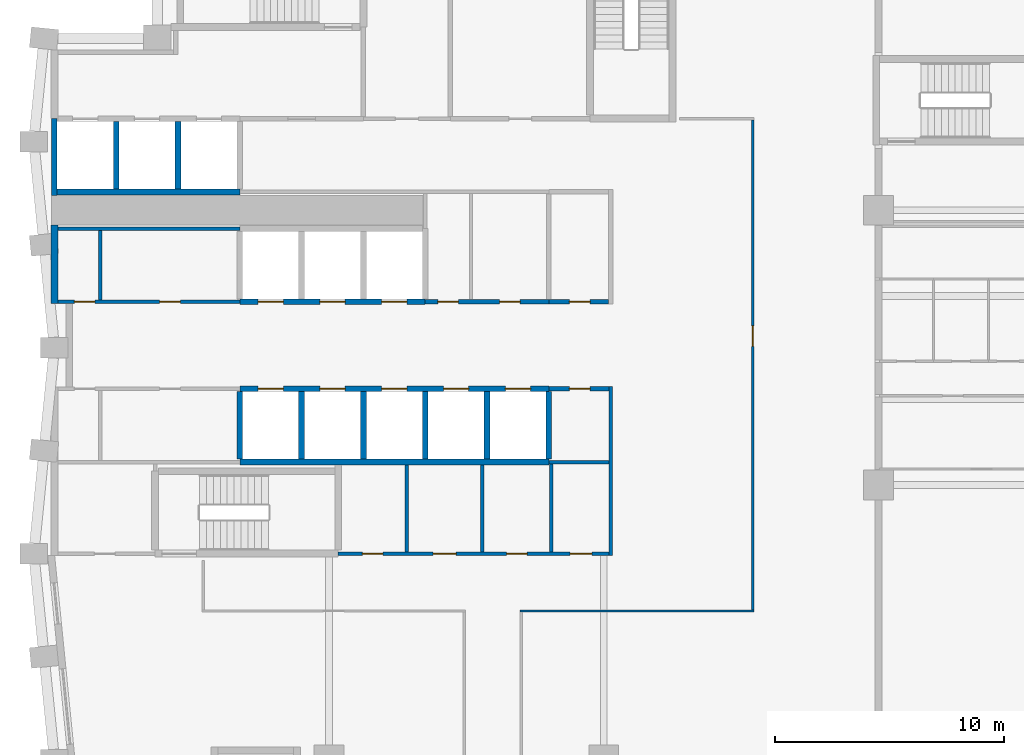
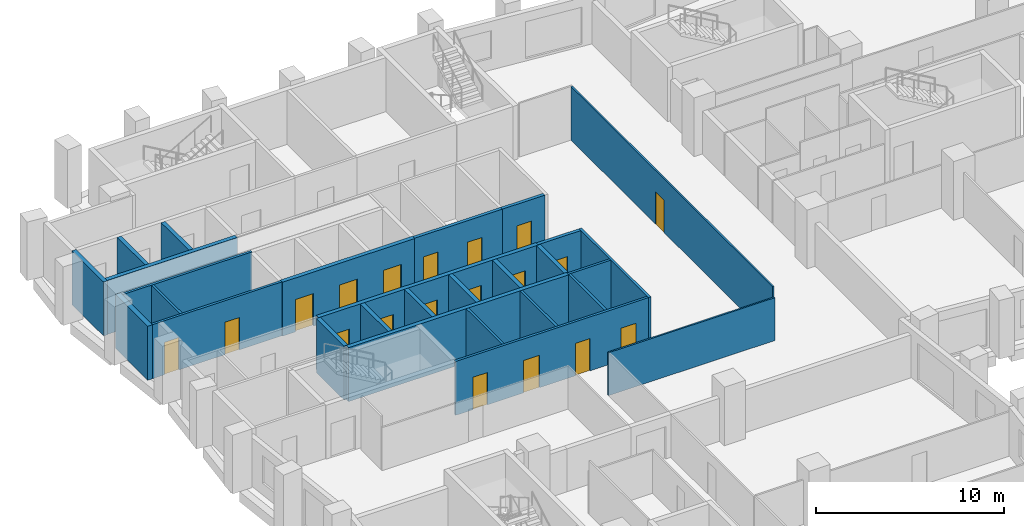
# One storey, part 5 of 11: 28 walls, 19 doors, 19 openings.
"""IFC4 building model written with IfcOpenShell, lengths in metres."""

from ifc_helpers import new_model, si_unit, direction, frame, frame_2d, origin, place, context, subcontext, project, spatial, rectangle, extrude, material, layer, layer_set, type_object, element, fill, save


model = new_model("IFC4")

# Units and contexts
model_context = context("Model", 3, precision=1e-05, world=origin(), true_north=direction((0.0, 1.0)))
body_context = subcontext(model_context, "Body", "Model", "MODEL_VIEW")
ifc_project = project(units=[si_unit("LENGTHUNIT", "METRE"), si_unit("AREAUNIT", "SQUARE_METRE"), si_unit("VOLUMEUNIT", "CUBIC_METRE"), si_unit("PLANEANGLEUNIT", "RADIAN"), si_unit("MASSUNIT", "GRAM", prefix="KILO")], contexts=[model_context])

# Site, building, storey
site_placement = place(None, origin())
site = spatial("IfcSite", under=ifc_project, at=site_placement, CompositionType="ELEMENT")
building_placement = place(site_placement, origin())
building = spatial("IfcBuilding", under=site, at=building_placement, Name="Brondeck Convention Tower", CompositionType="ELEMENT")
storey_placement = place(building_placement, frame((0.0, 0.0, 92.300048828125)))
storey = spatial("IfcBuildingStorey", under=building, at=storey_placement, Name="L21", CompositionType="ELEMENT", Elevation=92.300048828125)

# Wall, openings, doors
ifc_material_1 = material(Name="Concrete C70/85", Category="concrete")
ifc_layer_1 = layer(ifc_material_1, 0.14990234375)
ifc_layer_set_1 = layer_set([ifc_layer_1], Name="Core beam-seat wall 150 Concrete C70/85")
wall_type_1 = type_object("IfcWallType", Name="Core beam-seat wall 150 Concrete C70/85", PredefinedType="SHEAR", material=ifc_layer_set_1)
wall_1_placement = place(storey_placement, frame((12.39990234375, 36.0, 0.0), z_axis=(0.0, 0.0, 1.0), x_axis=(1.0, 0.0, 0.0)))
wall_1 = element("IfcWall", 1, at=wall_1_placement, inside=storey, type_object=wall_type_1, Name="L21 core wall", PredefinedType="SHEAR", context=body_context, shape_type="SweptSolid", body=[
    extrude(rectangle(XDim=11.8251953125, YDim=0.14990234375, at=frame_2d((5.91259765625, 0.0))), origin(), (0.0, 0.0, 1.0), 3.5),
])
opening_1_placement = place(wall_1_placement, frame((1.050048828125, 0.0, 0.0)))
opening_1 = element("IfcOpeningElement", 2, at=opening_1_placement, cuts=wall_1, Name="Opening C14-03", PredefinedType="OPENING", context=body_context, shape_type="SweptSolid", body=[
    extrude(rectangle(XDim=0.89990234375, YDim=2.10009765625, at=frame_2d((0.449951171875, 1.050048828125))), frame((0.0, 0.0849609375, 0.0), z_axis=(0.0, -1.0, 0.0), x_axis=(1.0, 0.0, 0.0)), (0.0, 0.0, 1.0), 0.169921875),
])
opening_2_placement = place(wall_1_placement, frame((4.14990234375, 0.0, 0.0)))
opening_2 = element("IfcOpeningElement", 3, at=opening_2_placement, cuts=wall_1, Name="Opening C14-04", PredefinedType="OPENING", context=body_context, shape_type="SweptSolid", body=[
    extrude(rectangle(XDim=1.0, YDim=2.10009765625, at=frame_2d((0.5, 1.050048828125))), frame((0.0, 0.0849609375, 0.0), z_axis=(0.0, -1.0, 0.0), x_axis=(1.0, 0.0, 0.0)), (0.0, 0.0, 1.0), 0.169921875),
])
opening_3_placement = place(wall_1_placement, frame((7.35009765625, 0.0, 0.0)))
opening_3 = element("IfcOpeningElement", 4, at=opening_3_placement, cuts=wall_1, Name="Opening C14-05", PredefinedType="OPENING", context=body_context, shape_type="SweptSolid", body=[
    extrude(rectangle(XDim=0.89990234375, YDim=2.10009765625, at=frame_2d((0.449951171875, 1.050048828125))), frame((0.0, 0.0849609375, 0.0), z_axis=(0.0, -1.0, 0.0), x_axis=(1.0, 0.0, 0.0)), (0.0, 0.0, 1.0), 0.169921875),
])
opening_4_placement = place(wall_1_placement, frame((10.125, 0.0, 0.0)))
opening_4 = element("IfcOpeningElement", 5, at=opening_4_placement, cuts=wall_1, Name="Opening C14-06", PredefinedType="OPENING", context=body_context, shape_type="SweptSolid", body=[
    extrude(rectangle(XDim=0.949951171875, YDim=2.10009765625, at=frame_2d((0.47509765625, 1.050048828125))), frame((0.0, 0.0849609375, 0.0), z_axis=(0.0, -1.0, 0.0), x_axis=(1.0, 0.0, 0.0)), (0.0, 0.0, 1.0), 0.169921875),
])
ifc_material_2 = material(Name="Steel fire door", Category="steel")
door_type_1 = type_object("IfcDoorType", Name="Room door 1000x2100 EI 60", OperationType="NOTDEFINED", PredefinedType="DOOR", material=ifc_material_2)
door_1_placement = place(opening_2_placement, origin())
door_1 = element("IfcDoor", 6, at=door_1_placement, inside=storey, type_object=door_type_1, Name="L21 Room door FR-2", OperationType="SINGLE_SWING_LEFT", OverallHeight=2.10009765625, OverallWidth=1.0, PredefinedType="DOOR", context=body_context, shape_type="SweptSolid", body=[
    extrude(rectangle(XDim=1.0, YDim=2.10009765625, at=frame_2d((0.5, 1.050048828125))), frame((0.0, 0.02490234375, 0.0), z_axis=(0.0, -1.0, 0.0), x_axis=(1.0, 0.0, 0.0)), (0.0, 0.0, 1.0), 0.050048828125),
])
fill(opening_2, door_1)
door_type_2 = type_object("IfcDoorType", Name="Room door 900x2100 EI 60", OperationType="NOTDEFINED", PredefinedType="DOOR", material=ifc_material_2)
door_2_placement = place(opening_1_placement, origin())
door_2 = element("IfcDoor", 7, at=door_2_placement, inside=storey, type_object=door_type_2, Name="L21 Room door FR-1", OperationType="SINGLE_SWING_RIGHT", OverallHeight=2.10009765625, OverallWidth=0.89990234375, PredefinedType="DOOR", context=body_context, shape_type="SweptSolid", body=[
    extrude(rectangle(XDim=0.89990234375, YDim=2.10009765625, at=frame_2d((0.449951171875, 1.050048828125))), frame((0.0, 0.02490234375, 0.0), z_axis=(0.0, -1.0, 0.0), x_axis=(1.0, 0.0, 0.0)), (0.0, 0.0, 1.0), 0.050048828125),
])
fill(opening_1, door_2)
door_3_placement = place(opening_3_placement, origin())
door_3 = element("IfcDoor", 8, at=door_3_placement, inside=storey, type_object=door_type_2, Name="L21 Room door FR-3", OperationType="SINGLE_SWING_RIGHT", OverallHeight=2.10009765625, OverallWidth=0.89990234375, PredefinedType="DOOR", context=body_context, shape_type="SweptSolid", body=[
    extrude(rectangle(XDim=0.89990234375, YDim=2.10009765625, at=frame_2d((0.449951171875, 1.050048828125))), frame((0.0, 0.02490234375, 0.0), z_axis=(0.0, -1.0, 0.0), x_axis=(1.0, 0.0, 0.0)), (0.0, 0.0, 1.0), 0.050048828125),
])
fill(opening_3, door_3)
door_type_3 = type_object("IfcDoorType", Name="Room door 950x2100 EI 60", OperationType="NOTDEFINED", PredefinedType="DOOR", material=ifc_material_2)
door_4_placement = place(opening_4_placement, origin())
door_4 = element("IfcDoor", 9, at=door_4_placement, inside=storey, type_object=door_type_3, Name="L21 Room door FR-4", OperationType="SINGLE_SWING_LEFT", OverallHeight=2.10009765625, OverallWidth=0.949951171875, PredefinedType="DOOR", context=body_context, shape_type="SweptSolid", body=[
    extrude(rectangle(XDim=0.949951171875, YDim=2.10009765625, at=frame_2d((0.47509765625, 1.050048828125))), frame((0.0, 0.02490234375, 0.0), z_axis=(0.0, -1.0, 0.0), x_axis=(1.0, 0.0, 0.0)), (0.0, 0.0, 1.0), 0.050048828125),
])
fill(opening_4, door_4)

# Walls
ifc_layer_2 = layer(ifc_material_1, 0.300048828125)
ifc_layer_set_2 = layer_set([ifc_layer_2], Name="Core outer wall 300 Concrete C70/85")
wall_type_2 = type_object("IfcWallType", Name="Core outer wall 300 Concrete C70/85", PredefinedType="SHEAR", material=ifc_layer_set_2)
wall_2_placement = place(storey_placement, frame((0.0, 46.925048828125, 0.0), z_axis=(0.0, 0.0, 1.0), x_axis=(0.0, 1.0, 0.0)))
element("IfcWall", 10, at=wall_2_placement, inside=storey, type_object=wall_type_2, Name="L21 core wall", PredefinedType="SHEAR", context=body_context, shape_type="SweptSolid", body=[
    extrude(rectangle(XDim=3.425048828125, YDim=0.300048828125, at=frame_2d((1.71240234375, 0.0))), origin(), (0.0, 0.0, 1.0), 3.5),
])
ifc_material_3 = material(Name="Fire-rated gypsum board partition")
ifc_layer_3 = layer(ifc_material_3, 0.14990234375)
ifc_layer_set_3 = layer_set([ifc_layer_3], Name="Core partition 150 EI 60")
wall_type_3 = type_object("IfcWallType", Name="Core partition 150 EI 60", PredefinedType="PARTITIONING", material=ifc_layer_set_3)
wall_3_placement = place(storey_placement, frame((21.60009765625, 40.0, 0.0), z_axis=(0.0, 0.0, 1.0), x_axis=(1.0, 0.0, 0.0)))
element("IfcWall", 11, at=wall_3_placement, inside=storey, type_object=wall_type_3, Name="L21 core wall", PredefinedType="PARTITIONING", context=body_context, shape_type="SweptSolid", body=[
    extrude(rectangle(XDim=2.625, YDim=0.14990234375, at=frame_2d((1.3125, 0.0))), origin(), (0.0, 0.0, 1.0), 3.5),
])

# Wall, openings, doors
wall_4_placement = place(storey_placement, frame((0.14990234375, 47.0, 0.0), z_axis=(0.0, 0.0, 1.0), x_axis=(1.0, 0.0, 0.0)))
wall_4 = element("IfcWall", 12, at=wall_4_placement, inside=storey, type_object=wall_type_3, Name="L21 core wall", PredefinedType="PARTITIONING", context=body_context, shape_type="SweptSolid", body=[
    extrude(rectangle(XDim=7.9501953125, YDim=0.14990234375, at=frame_2d((3.97509765625, 0.0))), origin(), (0.0, 0.0, 1.0), 3.5),
])
opening_5_placement = place(wall_4_placement, frame((0.72509765625, 0.0, 0.0)))
opening_5 = element("IfcOpeningElement", 13, at=opening_5_placement, cuts=wall_4, Name="Opening C14-08", PredefinedType="OPENING", context=body_context, shape_type="SweptSolid", body=[
    extrude(rectangle(XDim=0.89990234375, YDim=2.10009765625, at=frame_2d((0.449951171875, 1.050048828125))), frame((0.0, 0.0849609375, 0.0), z_axis=(0.0, -1.0, 0.0), x_axis=(1.0, 0.0, 0.0)), (0.0, 0.0, 1.0), 0.169921875),
])
opening_6_placement = place(wall_4_placement, frame((4.449951171875, 0.0, 0.0)))
opening_6 = element("IfcOpeningElement", 14, at=opening_6_placement, cuts=wall_4, Name="Opening C14-09", PredefinedType="OPENING", context=body_context, shape_type="SweptSolid", body=[
    extrude(rectangle(XDim=0.89990234375, YDim=2.10009765625, at=frame_2d((0.449951171875, 1.050048828125))), frame((0.0, 0.0849609375, 0.0), z_axis=(0.0, -1.0, 0.0), x_axis=(1.0, 0.0, 0.0)), (0.0, 0.0, 1.0), 0.169921875),
])
door_5_placement = place(opening_5_placement, origin())
door_5 = element("IfcDoor", 15, at=door_5_placement, inside=storey, type_object=door_type_2, Name="L21 Room door FZ-N-0-1", OperationType="SINGLE_SWING_RIGHT", OverallHeight=2.10009765625, OverallWidth=0.89990234375, PredefinedType="DOOR", context=body_context, shape_type="SweptSolid", body=[
    extrude(rectangle(XDim=0.89990234375, YDim=2.10009765625, at=frame_2d((0.449951171875, 1.050048828125))), frame((0.0, 0.02490234375, 0.0), z_axis=(0.0, -1.0, 0.0), x_axis=(1.0, 0.0, 0.0)), (0.0, 0.0, 1.0), 0.050048828125),
])
fill(opening_5, door_5)
door_6_placement = place(opening_6_placement, origin())
door_6 = element("IfcDoor", 16, at=door_6_placement, inside=storey, type_object=door_type_2, Name="L21 Room door FZ-N-0-2", OperationType="SINGLE_SWING_LEFT", OverallHeight=2.10009765625, OverallWidth=0.89990234375, PredefinedType="DOOR", context=body_context, shape_type="SweptSolid", body=[
    extrude(rectangle(XDim=0.89990234375, YDim=2.10009765625, at=frame_2d((0.449951171875, 1.050048828125))), frame((0.0, 0.02490234375, 0.0), z_axis=(0.0, -1.0, 0.0), x_axis=(1.0, 0.0, 0.0)), (0.0, 0.0, 1.0), 0.050048828125),
])
fill(opening_6, door_6)

# Walls
wall_5_placement = place(storey_placement, frame((0.14990234375, 50.199951171875, 0.0), z_axis=(0.0, 0.0, 1.0), x_axis=(1.0, 0.0, 0.0)))
element("IfcWall", 17, at=wall_5_placement, inside=storey, type_object=wall_type_3, Name="L21 core wall", PredefinedType="PARTITIONING", context=body_context, shape_type="SweptSolid", body=[
    extrude(rectangle(XDim=7.9501953125, YDim=0.14990234375, at=frame_2d((3.97509765625, 0.0))), origin(), (0.0, 0.0, 1.0), 3.5),
])
wall_6_placement = place(storey_placement, frame((2.0, 47.074951171875, 0.0), z_axis=(0.0, 0.0, 1.0), x_axis=(0.0, 1.0, 0.0)))
element("IfcWall", 18, at=wall_6_placement, inside=storey, type_object=wall_type_3, Name="L21 core wall", PredefinedType="PARTITIONING", context=body_context, shape_type="SweptSolid", body=[
    extrude(rectangle(XDim=3.050048828125, YDim=0.14990234375, at=frame_2d((1.52490234375, 0.0))), origin(), (0.0, 0.0, 1.0), 3.5),
])
for number, where, z_axis, x_axis, name in (
    (19, (15.39990234375, 36.074951171875, 0.0), (0.0, 0.0, 1.0), (0.0, 1.0, 0.0), "L21 core wall"),
    (20, (18.699951171875, 36.074951171875, 0.0), (0.0, 0.0, 1.0), (0.0, 1.0, 0.0), "L21 core wall"),
):
    element("IfcWall", number, at=place(storey_placement, frame(where, z_axis=z_axis, x_axis=x_axis)), inside=storey, type_object=wall_type_3, Name=name, PredefinedType="PARTITIONING", context=body_context, shape_type="SweptSolid", body=[
        extrude(rectangle(XDim=3.800048828125, YDim=0.14990234375, at=frame_2d((1.89990234375, 0.0))), origin(), (0.0, 0.0, 1.0), 3.5),
    ])
wall_7_placement = place(storey_placement, frame((21.699951171875, 36.074951171875, 0.0), z_axis=(0.0, 0.0, 1.0), x_axis=(0.0, 1.0, 0.0)))
element("IfcWall", 21, at=wall_7_placement, inside=storey, type_object=wall_type_3, Name="L21 core wall", PredefinedType="PARTITIONING", context=body_context, shape_type="SweptSolid", body=[
    extrude(rectangle(XDim=3.85009765625, YDim=0.14990234375, at=frame_2d((1.925048828125, 0.0))), origin(), (0.0, 0.0, 1.0), 3.5),
])
wall_8_placement = place(storey_placement, frame((24.300048828125, 35.925048828125, 0.0), z_axis=(0.0, 0.0, 1.0), x_axis=(0.0, 1.0, 0.0)))
element("IfcWall", 22, at=wall_8_placement, inside=storey, type_object=wall_type_3, Name="L21 core wall", PredefinedType="PARTITIONING", context=body_context, shape_type="SweptSolid", body=[
    extrude(rectangle(XDim=7.375, YDim=0.14990234375, at=frame_2d((3.6875, 0.0))), origin(), (0.0, 0.0, 1.0), 3.5),
])

# Wall, opening, door
ifc_layer_4 = layer(ifc_material_3, 0.199951171875)
ifc_layer_set_4 = layer_set([ifc_layer_4], Name="Lift lobby wall 200 EI 60")
wall_type_4 = type_object("IfcWallType", Name="Lift lobby wall 200 EI 60", PredefinedType="PARTITIONING", material=ifc_layer_set_4)
wall_9_placement = place(storey_placement, frame((21.60009765625, 43.199951171875, 0.0), z_axis=(0.0, 0.0, 1.0), x_axis=(1.0, 0.0, 0.0)))
wall_9 = element("IfcWall", 23, at=wall_9_placement, inside=storey, type_object=wall_type_4, Name="L21 core wall", PredefinedType="PARTITIONING", context=body_context, shape_type="SweptSolid", body=[
    extrude(rectangle(XDim=2.625, YDim=0.199951171875, at=frame_2d((1.3125, 0.0))), origin(), (0.0, 0.0, 1.0), 3.5),
])
opening_7_placement = place(wall_9_placement, frame((0.89990234375, 0.0, 0.0)))
opening_7 = element("IfcOpeningElement", 24, at=opening_7_placement, cuts=wall_9, Name="Opening C14-14", PredefinedType="OPENING", context=body_context, shape_type="SweptSolid", body=[
    extrude(rectangle(XDim=0.89990234375, YDim=2.10009765625, at=frame_2d((0.449951171875, 1.050048828125))), frame((0.0, 0.10986328125, 0.0), z_axis=(0.0, -1.0, 0.0), x_axis=(1.0, 0.0, 0.0)), (0.0, 0.0, 1.0), 0.219970703125),
])
door_7_placement = place(opening_7_placement, origin())
door_7 = element("IfcDoor", 25, at=door_7_placement, inside=storey, type_object=door_type_2, Name="L21 Room door FZ-S-21.6-1", OperationType="SINGLE_SWING_RIGHT", OverallHeight=2.10009765625, OverallWidth=0.89990234375, PredefinedType="DOOR", context=body_context, shape_type="SweptSolid", body=[
    extrude(rectangle(XDim=0.89990234375, YDim=2.10009765625, at=frame_2d((0.449951171875, 1.050048828125))), frame((0.0, 0.02490234375, 0.0), z_axis=(0.0, -1.0, 0.0), x_axis=(1.0, 0.0, 0.0)), (0.0, 0.0, 1.0), 0.050048828125),
])
fill(opening_7, door_7)

# Wall, openings, doors
wall_10_placement = place(storey_placement, frame((16.199951171875, 47.0, 0.0), z_axis=(0.0, 0.0, 1.0), x_axis=(1.0, 0.0, 0.0)))
wall_10 = element("IfcWall", 26, at=wall_10_placement, inside=storey, type_object=wall_type_4, Name="L21 core wall", PredefinedType="PARTITIONING", context=body_context, shape_type="SweptSolid", body=[
    extrude(rectangle(XDim=5.400146484375, YDim=0.199951171875, at=frame_2d((2.7001953125, 0.0))), origin(), (0.0, 0.0, 1.0), 3.5),
])
opening_8_placement = place(wall_10_placement, frame((0.550048828125, 0.0, 0.0)))
opening_8 = element("IfcOpeningElement", 27, at=opening_8_placement, cuts=wall_10, Name="Opening C14-10", PredefinedType="OPENING", context=body_context, shape_type="SweptSolid", body=[
    extrude(rectangle(XDim=0.89990234375, YDim=2.10009765625, at=frame_2d((0.449951171875, 1.050048828125))), frame((0.0, 0.10986328125, 0.0), z_axis=(0.0, -1.0, 0.0), x_axis=(1.0, 0.0, 0.0)), (0.0, 0.0, 1.0), 0.219970703125),
])
opening_9_placement = place(wall_10_placement, frame((3.25, 0.0, 0.0)))
opening_9 = element("IfcOpeningElement", 28, at=opening_9_placement, cuts=wall_10, Name="Opening C14-11", PredefinedType="OPENING", context=body_context, shape_type="SweptSolid", body=[
    extrude(rectangle(XDim=0.89990234375, YDim=2.10009765625, at=frame_2d((0.449951171875, 1.050048828125))), frame((0.0, 0.10986328125, 0.0), z_axis=(0.0, -1.0, 0.0), x_axis=(1.0, 0.0, 0.0)), (0.0, 0.0, 1.0), 0.219970703125),
])
door_8_placement = place(opening_8_placement, origin())
door_8 = element("IfcDoor", 29, at=door_8_placement, inside=storey, type_object=door_type_2, Name="L21 Room door FZ-N-16.2-1", OperationType="SINGLE_SWING_LEFT", OverallHeight=2.10009765625, OverallWidth=0.89990234375, PredefinedType="DOOR", context=body_context, shape_type="SweptSolid", body=[
    extrude(rectangle(XDim=0.89990234375, YDim=2.10009765625, at=frame_2d((0.449951171875, 1.050048828125))), frame((0.0, 0.02490234375, 0.0), z_axis=(0.0, -1.0, 0.0), x_axis=(1.0, 0.0, 0.0)), (0.0, 0.0, 1.0), 0.050048828125),
])
fill(opening_8, door_8)
door_9_placement = place(opening_9_placement, origin())
door_9 = element("IfcDoor", 30, at=door_9_placement, inside=storey, type_object=door_type_2, Name="L21 Room door FZ-N-16.2-2", OperationType="SINGLE_SWING_RIGHT", OverallHeight=2.10009765625, OverallWidth=0.89990234375, PredefinedType="DOOR", context=body_context, shape_type="SweptSolid", body=[
    extrude(rectangle(XDim=0.89990234375, YDim=2.10009765625, at=frame_2d((0.449951171875, 1.050048828125))), frame((0.0, 0.02490234375, 0.0), z_axis=(0.0, -1.0, 0.0), x_axis=(1.0, 0.0, 0.0)), (0.0, 0.0, 1.0), 0.050048828125),
])
fill(opening_9, door_9)

# Wall
ifc_layer_5 = layer(ifc_material_1, 0.25)
ifc_layer_set_5 = layer_set([ifc_layer_5], Name="Lift shaft wall 250 Concrete C70/85")
wall_type_5 = type_object("IfcWallType", Name="Lift shaft wall 250 Concrete C70/85", PredefinedType="SHEAR", material=ifc_layer_set_5)
wall_11_placement = place(storey_placement, frame((8.10009765625, 40.0, 0.0), z_axis=(0.0, 0.0, 1.0), x_axis=(1.0, 0.0, 0.0)))
element("IfcWall", 31, at=wall_11_placement, inside=storey, type_object=wall_type_5, Name="L21 core wall", PredefinedType="SHEAR", context=body_context, shape_type="SweptSolid", body=[
    extrude(rectangle(XDim=13.5, YDim=0.25, at=frame_2d((6.75, 0.0))), origin(), (0.0, 0.0, 1.0), 3.5),
])

# Wall, openings, doors
wall_12_placement = place(storey_placement, frame((8.10009765625, 43.199951171875, 0.0), z_axis=(0.0, 0.0, 1.0), x_axis=(1.0, 0.0, 0.0)))
wall_12 = element("IfcWall", 32, at=wall_12_placement, inside=storey, type_object=wall_type_5, Name="L21 core wall", PredefinedType="SHEAR", context=body_context, shape_type="SweptSolid", body=[
    extrude(rectangle(XDim=13.5, YDim=0.25, at=frame_2d((6.75, 0.0))), origin(), (0.0, 0.0, 1.0), 3.5),
])
opening_10_placement = place(wall_12_placement, frame((0.800048828125, 0.0, 0.0)))
opening_10 = element("IfcOpeningElement", 33, at=opening_10_placement, cuts=wall_12, Name="Opening C14-27", PredefinedType="OPENING", context=body_context, shape_type="SweptSolid", body=[
    extrude(rectangle(XDim=1.10009765625, YDim=2.10009765625, at=frame_2d((0.550048828125, 1.050048828125))), frame((0.0, 0.135009765625, 0.0), z_axis=(0.0, -1.0, 0.0), x_axis=(1.0, 0.0, 0.0)), (0.0, 0.0, 1.0), 0.27001953125),
])
opening_11_placement = place(wall_12_placement, frame((3.5, 0.0, 0.0)))
opening_11 = element("IfcOpeningElement", 34, at=opening_11_placement, cuts=wall_12, Name="Opening C14-28", PredefinedType="OPENING", context=body_context, shape_type="SweptSolid", body=[
    extrude(rectangle(XDim=1.10009765625, YDim=2.10009765625, at=frame_2d((0.550048828125, 1.050048828125))), frame((0.0, 0.135009765625, 0.0), z_axis=(0.0, -1.0, 0.0), x_axis=(1.0, 0.0, 0.0)), (0.0, 0.0, 1.0), 0.27001953125),
])
opening_12_placement = place(wall_12_placement, frame((6.199951171875, 0.0, 0.0)))
opening_12 = element("IfcOpeningElement", 35, at=opening_12_placement, cuts=wall_12, Name="Opening C14-29", PredefinedType="OPENING", context=body_context, shape_type="SweptSolid", body=[
    extrude(rectangle(XDim=1.10009765625, YDim=2.10009765625, at=frame_2d((0.550048828125, 1.050048828125))), frame((0.0, 0.135009765625, 0.0), z_axis=(0.0, -1.0, 0.0), x_axis=(1.0, 0.0, 0.0)), (0.0, 0.0, 1.0), 0.27001953125),
])
opening_13_placement = place(wall_12_placement, frame((8.89990234375, 0.0, 0.0)))
opening_13 = element("IfcOpeningElement", 36, at=opening_13_placement, cuts=wall_12, Name="Opening C14-33", PredefinedType="OPENING", context=body_context, shape_type="SweptSolid", body=[
    extrude(rectangle(XDim=1.10009765625, YDim=2.10009765625, at=frame_2d((0.550048828125, 1.050048828125))), frame((0.0, 0.135009765625, 0.0), z_axis=(0.0, -1.0, 0.0), x_axis=(1.0, 0.0, 0.0)), (0.0, 0.0, 1.0), 0.27001953125),
])
opening_14_placement = place(wall_12_placement, frame((11.60009765625, 0.0, 0.0)))
opening_14 = element("IfcOpeningElement", 37, at=opening_14_placement, cuts=wall_12, Name="Opening C14-34", PredefinedType="OPENING", context=body_context, shape_type="SweptSolid", body=[
    extrude(rectangle(XDim=1.10009765625, YDim=2.10009765625, at=frame_2d((0.550048828125, 1.050048828125))), frame((0.0, 0.135009765625, 0.0), z_axis=(0.0, -1.0, 0.0), x_axis=(1.0, 0.0, 0.0)), (0.0, 0.0, 1.0), 0.27001953125),
])
ifc_material_4 = material(Name="Stainless steel lift door", Category="steel")
door_type_4 = type_object("IfcDoorType", Name="Lift landing door 1100x2100 EI 180", OperationType="DOUBLE_DOOR_SLIDING", PredefinedType="DOOR", material=ifc_material_4)
door_10_placement = place(opening_10_placement, origin())
door_10 = element("IfcDoor", 38, at=door_10_placement, inside=storey, type_object=door_type_4, Name="L21 Lift landing door LR1", OperationType="DOUBLE_DOOR_SLIDING", OverallHeight=2.10009765625, OverallWidth=1.10009765625, PredefinedType="DOOR", context=body_context, shape_type="SweptSolid", body=[
    extrude(rectangle(XDim=1.10009765625, YDim=2.10009765625, at=frame_2d((0.550048828125, 1.050048828125))), frame((0.0, 0.02490234375, 0.0), z_axis=(0.0, -1.0, 0.0), x_axis=(1.0, 0.0, 0.0)), (0.0, 0.0, 1.0), 0.050048828125),
])
fill(opening_10, door_10)
door_11_placement = place(opening_11_placement, origin())
door_11 = element("IfcDoor", 39, at=door_11_placement, inside=storey, type_object=door_type_4, Name="L21 Lift landing door LR2", OperationType="DOUBLE_DOOR_SLIDING", OverallHeight=2.10009765625, OverallWidth=1.10009765625, PredefinedType="DOOR", context=body_context, shape_type="SweptSolid", body=[
    extrude(rectangle(XDim=1.10009765625, YDim=2.10009765625, at=frame_2d((0.550048828125, 1.050048828125))), frame((0.0, 0.02490234375, 0.0), z_axis=(0.0, -1.0, 0.0), x_axis=(1.0, 0.0, 0.0)), (0.0, 0.0, 1.0), 0.050048828125),
])
fill(opening_11, door_11)
door_12_placement = place(opening_12_placement, origin())
door_12 = element("IfcDoor", 40, at=door_12_placement, inside=storey, type_object=door_type_4, Name="L21 Lift landing door LR3", OperationType="DOUBLE_DOOR_SLIDING", OverallHeight=2.10009765625, OverallWidth=1.10009765625, PredefinedType="DOOR", context=body_context, shape_type="SweptSolid", body=[
    extrude(rectangle(XDim=1.10009765625, YDim=2.10009765625, at=frame_2d((0.550048828125, 1.050048828125))), frame((0.0, 0.02490234375, 0.0), z_axis=(0.0, -1.0, 0.0), x_axis=(1.0, 0.0, 0.0)), (0.0, 0.0, 1.0), 0.050048828125),
])
fill(opening_12, door_12)
door_13_placement = place(opening_13_placement, origin())
door_13 = element("IfcDoor", 41, at=door_13_placement, inside=storey, type_object=door_type_4, Name="L21 Lift landing door SH1", OperationType="DOUBLE_DOOR_SLIDING", OverallHeight=2.10009765625, OverallWidth=1.10009765625, PredefinedType="DOOR", context=body_context, shape_type="SweptSolid", body=[
    extrude(rectangle(XDim=1.10009765625, YDim=2.10009765625, at=frame_2d((0.550048828125, 1.050048828125))), frame((0.0, 0.02490234375, 0.0), z_axis=(0.0, -1.0, 0.0), x_axis=(1.0, 0.0, 0.0)), (0.0, 0.0, 1.0), 0.050048828125),
])
fill(opening_13, door_13)
door_14_placement = place(opening_14_placement, origin())
door_14 = element("IfcDoor", 42, at=door_14_placement, inside=storey, type_object=door_type_4, Name="L21 Lift landing door SH2", OperationType="DOUBLE_DOOR_SLIDING", OverallHeight=2.10009765625, OverallWidth=1.10009765625, PredefinedType="DOOR", context=body_context, shape_type="SweptSolid", body=[
    extrude(rectangle(XDim=1.10009765625, YDim=2.10009765625, at=frame_2d((0.550048828125, 1.050048828125))), frame((0.0, 0.02490234375, 0.0), z_axis=(0.0, -1.0, 0.0), x_axis=(1.0, 0.0, 0.0)), (0.0, 0.0, 1.0), 0.050048828125),
])
fill(opening_14, door_14)

wall_13_placement = place(storey_placement, frame((8.10009765625, 47.0, 0.0), z_axis=(0.0, 0.0, 1.0), x_axis=(1.0, 0.0, 0.0)))
wall_13 = element("IfcWall", 43, at=wall_13_placement, inside=storey, type_object=wall_type_5, Name="L21 core wall", PredefinedType="SHEAR", context=body_context, shape_type="SweptSolid", body=[
    extrude(rectangle(XDim=8.099853515625, YDim=0.25, at=frame_2d((4.0498046875, 0.0))), origin(), (0.0, 0.0, 1.0), 3.5),
])
opening_15_placement = place(wall_13_placement, frame((0.800048828125, 0.0, 0.0)))
opening_15 = element("IfcOpeningElement", 44, at=opening_15_placement, cuts=wall_13, Name="Opening C14-30", PredefinedType="OPENING", context=body_context, shape_type="SweptSolid", body=[
    extrude(rectangle(XDim=1.10009765625, YDim=2.10009765625, at=frame_2d((0.550048828125, 1.050048828125))), frame((0.0, 0.135009765625, 0.0), z_axis=(0.0, -1.0, 0.0), x_axis=(1.0, 0.0, 0.0)), (0.0, 0.0, 1.0), 0.27001953125),
])
opening_16_placement = place(wall_13_placement, frame((3.5, 0.0, 0.0)))
opening_16 = element("IfcOpeningElement", 45, at=opening_16_placement, cuts=wall_13, Name="Opening C14-31", PredefinedType="OPENING", context=body_context, shape_type="SweptSolid", body=[
    extrude(rectangle(XDim=1.10009765625, YDim=2.10009765625, at=frame_2d((0.550048828125, 1.050048828125))), frame((0.0, 0.135009765625, 0.0), z_axis=(0.0, -1.0, 0.0), x_axis=(1.0, 0.0, 0.0)), (0.0, 0.0, 1.0), 0.27001953125),
])
opening_17_placement = place(wall_13_placement, frame((6.199951171875, 0.0, 0.0)))
opening_17 = element("IfcOpeningElement", 46, at=opening_17_placement, cuts=wall_13, Name="Opening C14-32", PredefinedType="OPENING", context=body_context, shape_type="SweptSolid", body=[
    extrude(rectangle(XDim=1.10009765625, YDim=2.10009765625, at=frame_2d((0.550048828125, 1.050048828125))), frame((0.0, 0.135009765625, 0.0), z_axis=(0.0, -1.0, 0.0), x_axis=(1.0, 0.0, 0.0)), (0.0, 0.0, 1.0), 0.27001953125),
])
door_15_placement = place(opening_15_placement, origin())
door_15 = element("IfcDoor", 47, at=door_15_placement, inside=storey, type_object=door_type_4, Name="L21 Lift landing door LR4", OperationType="DOUBLE_DOOR_SLIDING", OverallHeight=2.10009765625, OverallWidth=1.10009765625, PredefinedType="DOOR", context=body_context, shape_type="SweptSolid", body=[
    extrude(rectangle(XDim=1.10009765625, YDim=2.10009765625, at=frame_2d((0.550048828125, 1.050048828125))), frame((0.0, 0.02490234375, 0.0), z_axis=(0.0, -1.0, 0.0), x_axis=(1.0, 0.0, 0.0)), (0.0, 0.0, 1.0), 0.050048828125),
])
fill(opening_15, door_15)
door_16_placement = place(opening_16_placement, origin())
door_16 = element("IfcDoor", 48, at=door_16_placement, inside=storey, type_object=door_type_4, Name="L21 Lift landing door LR5", OperationType="DOUBLE_DOOR_SLIDING", OverallHeight=2.10009765625, OverallWidth=1.10009765625, PredefinedType="DOOR", context=body_context, shape_type="SweptSolid", body=[
    extrude(rectangle(XDim=1.10009765625, YDim=2.10009765625, at=frame_2d((0.550048828125, 1.050048828125))), frame((0.0, 0.02490234375, 0.0), z_axis=(0.0, -1.0, 0.0), x_axis=(1.0, 0.0, 0.0)), (0.0, 0.0, 1.0), 0.050048828125),
])
fill(opening_16, door_16)
door_17_placement = place(opening_17_placement, origin())
door_17 = element("IfcDoor", 49, at=door_17_placement, inside=storey, type_object=door_type_4, Name="L21 Lift landing door LR6", OperationType="DOUBLE_DOOR_SLIDING", OverallHeight=2.10009765625, OverallWidth=1.10009765625, PredefinedType="DOOR", context=body_context, shape_type="SweptSolid", body=[
    extrude(rectangle(XDim=1.10009765625, YDim=2.10009765625, at=frame_2d((0.550048828125, 1.050048828125))), frame((0.0, 0.02490234375, 0.0), z_axis=(0.0, -1.0, 0.0), x_axis=(1.0, 0.0, 0.0)), (0.0, 0.0, 1.0), 0.050048828125),
])
fill(opening_17, door_17)

# Walls
wall_14_placement = place(storey_placement, frame((0.125, 51.800048828125, 0.0), z_axis=(0.0, 0.0, 1.0), x_axis=(1.0, 0.0, 0.0)))
element("IfcWall", 50, at=wall_14_placement, inside=storey, type_object=wall_type_5, Name="L21 core wall", PredefinedType="SHEAR", context=body_context, shape_type="SweptSolid", body=[
    extrude(rectangle(XDim=7.97509765625, YDim=0.25, at=frame_2d((3.987548828125, 0.0))), origin(), (0.0, 0.0, 1.0), 3.5),
])
wall_15_placement = place(storey_placement, frame((0.0, 51.64990234375, 0.0), z_axis=(0.0, 0.0, 1.0), x_axis=(0.0, 1.0, 0.0)))
element("IfcWall", 51, at=wall_15_placement, inside=storey, type_object=wall_type_5, Name="L21 core wall", PredefinedType="SHEAR", context=body_context, shape_type="SweptSolid", body=[
    extrude(rectangle(XDim=3.35009765625, YDim=0.25, at=frame_2d((1.675048828125, 0.0))), origin(), (0.0, 0.0, 1.0), 3.5),
])
for number, where, z_axis, x_axis, name in (
    (52, (2.699951171875, 51.925048828125, 0.0), (0.0, 0.0, 1.0), (0.0, 1.0, 0.0), "L21 core wall"),
    (53, (5.39990234375, 51.925048828125, 0.0), (0.0, 0.0, 1.0), (0.0, 1.0, 0.0), "L21 core wall"),
    (54, (8.10009765625, 40.125, 0.0), (0.0, 0.0, 1.0), (0.0, 1.0, 0.0), "L21 core wall"),
    (55, (10.800048828125, 40.125, 0.0), (0.0, 0.0, 1.0), (0.0, 1.0, 0.0), "L21 core wall"),
    (56, (13.5, 40.125, 0.0), (0.0, 0.0, 1.0), (0.0, 1.0, 0.0), "L21 core wall"),
    (57, (16.199951171875, 40.125, 0.0), (0.0, 0.0, 1.0), (0.0, 1.0, 0.0), "L21 core wall"),
    (58, (18.89990234375, 40.125, 0.0), (0.0, 0.0, 1.0), (0.0, 1.0, 0.0), "L21 core wall"),
    (59, (21.60009765625, 40.125, 0.0), (0.0, 0.0, 1.0), (0.0, 1.0, 0.0), "L21 core wall"),
):
    element("IfcWall", number, at=place(storey_placement, frame(where, z_axis=z_axis, x_axis=x_axis)), inside=storey, type_object=wall_type_5, Name=name, PredefinedType="SHEAR", context=body_context, shape_type="SweptSolid", body=[
        extrude(rectangle(XDim=2.949951171875, YDim=0.25, at=frame_2d((1.47509765625, 0.0))), origin(), (0.0, 0.0, 1.0), 3.5),
    ])

# Wall, opening, door
ifc_layer_6 = layer(ifc_material_3, 0.199951171875)
ifc_layer_set_6 = layer_set([ifc_layer_6], Name="Riser wall 200 EI 120")
wall_type_6 = type_object("IfcWallType", Name="Riser wall 200 EI 120", PredefinedType="PARTITIONING", material=ifc_layer_set_6)
wall_16_placement = place(storey_placement, frame((21.60009765625, 47.0, 0.0), z_axis=(0.0, 0.0, 1.0), x_axis=(1.0, 0.0, 0.0)))
wall_16 = element("IfcWall", 60, at=wall_16_placement, inside=storey, type_object=wall_type_6, Name="L21 core wall", PredefinedType="PARTITIONING", context=body_context, shape_type="SweptSolid", body=[
    extrude(rectangle(XDim=2.599853515625, YDim=0.199951171875, at=frame_2d((1.2998046875, 0.0))), origin(), (0.0, 0.0, 1.0), 3.5),
])
opening_18_placement = place(wall_16_placement, frame((0.89990234375, 0.0, 0.0)))
opening_18 = element("IfcOpeningElement", 61, at=opening_18_placement, cuts=wall_16, Name="Opening C14-02", PredefinedType="OPENING", context=body_context, shape_type="SweptSolid", body=[
    extrude(rectangle(XDim=0.89990234375, YDim=2.10009765625, at=frame_2d((0.449951171875, 1.050048828125))), frame((0.0, 0.10986328125, 0.0), z_axis=(0.0, -1.0, 0.0), x_axis=(1.0, 0.0, 0.0)), (0.0, 0.0, 1.0), 0.219970703125),
])
door_type_5 = type_object("IfcDoorType", Name="Riser door 900x2100 EI 120", OperationType="NOTDEFINED", PredefinedType="DOOR", material=ifc_material_2)
door_18_placement = place(opening_18_placement, origin())
door_18 = element("IfcDoor", 62, at=door_18_placement, inside=storey, type_object=door_type_5, Name="L21 Riser door EN-1", OperationType="SINGLE_SWING_LEFT", OverallHeight=2.10009765625, OverallWidth=0.89990234375, PredefinedType="DOOR", context=body_context, shape_type="SweptSolid", body=[
    extrude(rectangle(XDim=0.89990234375, YDim=2.10009765625, at=frame_2d((0.449951171875, 1.050048828125))), frame((0.0, 0.02490234375, 0.0), z_axis=(0.0, -1.0, 0.0), x_axis=(1.0, 0.0, 0.0)), (0.0, 0.0, 1.0), 0.050048828125),
])
fill(opening_18, door_18)

# Wall
ifc_material_5 = material(Name="Gypsum board partition on steel studs", Category="steel")
ifc_layer_7 = layer(ifc_material_5, 0.10009765625)
ifc_layer_set_7 = layer_set([ifc_layer_7], Name="Room partition 100")
wall_type_7 = type_object("IfcWallType", Name="Room partition 100", PredefinedType="PARTITIONING", material=ifc_layer_set_7)
wall_17_placement = place(storey_placement, frame((30.550048828125, 33.5, 0.0), z_axis=(0.0, 0.0, 1.0), x_axis=(-1.0, 0.0, 0.0)))
element("IfcWall", 63, at=wall_17_placement, inside=storey, type_object=wall_type_7, Name="FLR-L21-W027", PredefinedType="PARTITIONING", context=body_context, shape_type="SweptSolid", body=[
    extrude(rectangle(XDim=10.199951171875, YDim=0.10009765625, at=frame_2d((5.10009765625, 0.0))), origin(), (0.0, 0.0, 1.0), 2.780029296875),
])

# Wall, opening, door
wall_18_placement = place(storey_placement, frame((30.5, 54.949951171875, 0.0), z_axis=(0.0, 0.0, 1.0), x_axis=(0.0, -1.0, 0.0)))
wall_18 = element("IfcWall", 64, at=wall_18_placement, inside=storey, type_object=wall_type_7, Name="FLR-L21-W077", PredefinedType="PARTITIONING", context=body_context, shape_type="SweptSolid", body=[
    extrude(rectangle(XDim=21.39990234375, YDim=0.10009765625, at=frame_2d((10.699951171875, 0.0))), origin(), (0.0, 0.0, 1.0), 3.47998046875),
])
opening_19_placement = place(wall_18_placement, frame((9.0, 0.0, 0.0)))
opening_19 = element("IfcOpeningElement", 65, at=opening_19_placement, cuts=wall_18, Name="Opening OF-A-023", PredefinedType="OPENING", context=body_context, shape_type="SweptSolid", body=[
    extrude(rectangle(XDim=0.89990234375, YDim=2.10009765625, at=frame_2d((0.449951171875, 1.050048828125))), frame((0.0, 0.06005859375, 0.0), z_axis=(0.0, -1.0, 0.0), x_axis=(1.0, 0.0, 0.0)), (0.0, 0.0, 1.0), 0.1201171875),
])
ifc_material_6 = material(Name="Solid timber door leaf", Category="wood")
door_type_6 = type_object("IfcDoorType", Name="Single door 900", OperationType="NOTDEFINED", PredefinedType="DOOR", material=ifc_material_6)
door_19_placement = place(opening_19_placement, origin())
door_19 = element("IfcDoor", 66, at=door_19_placement, inside=storey, type_object=door_type_6, Name="Door OF-A-023", OperationType="SINGLE_SWING_LEFT", OverallHeight=2.10009765625, OverallWidth=0.89990234375, PredefinedType="DOOR", context=body_context, shape_type="SweptSolid", body=[
    extrude(rectangle(XDim=0.89990234375, YDim=2.10009765625, at=frame_2d((0.449951171875, 1.050048828125))), frame((0.0, 0.02490234375, 0.0), z_axis=(0.0, -1.0, 0.0), x_axis=(1.0, 0.0, 0.0)), (0.0, 0.0, 1.0), 0.050048828125),
])
fill(opening_19, door_19)

save(model, "model.ifc")
